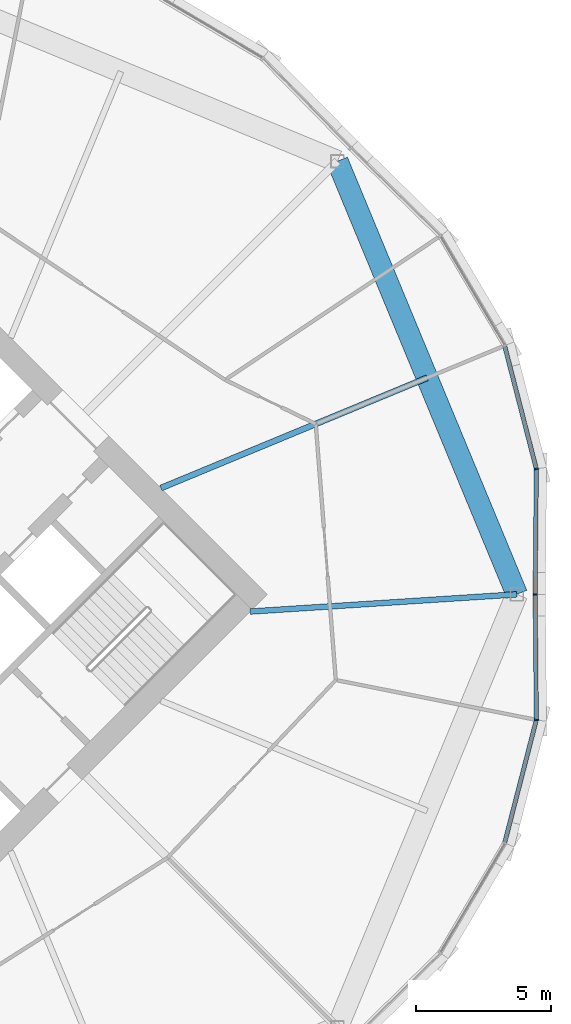
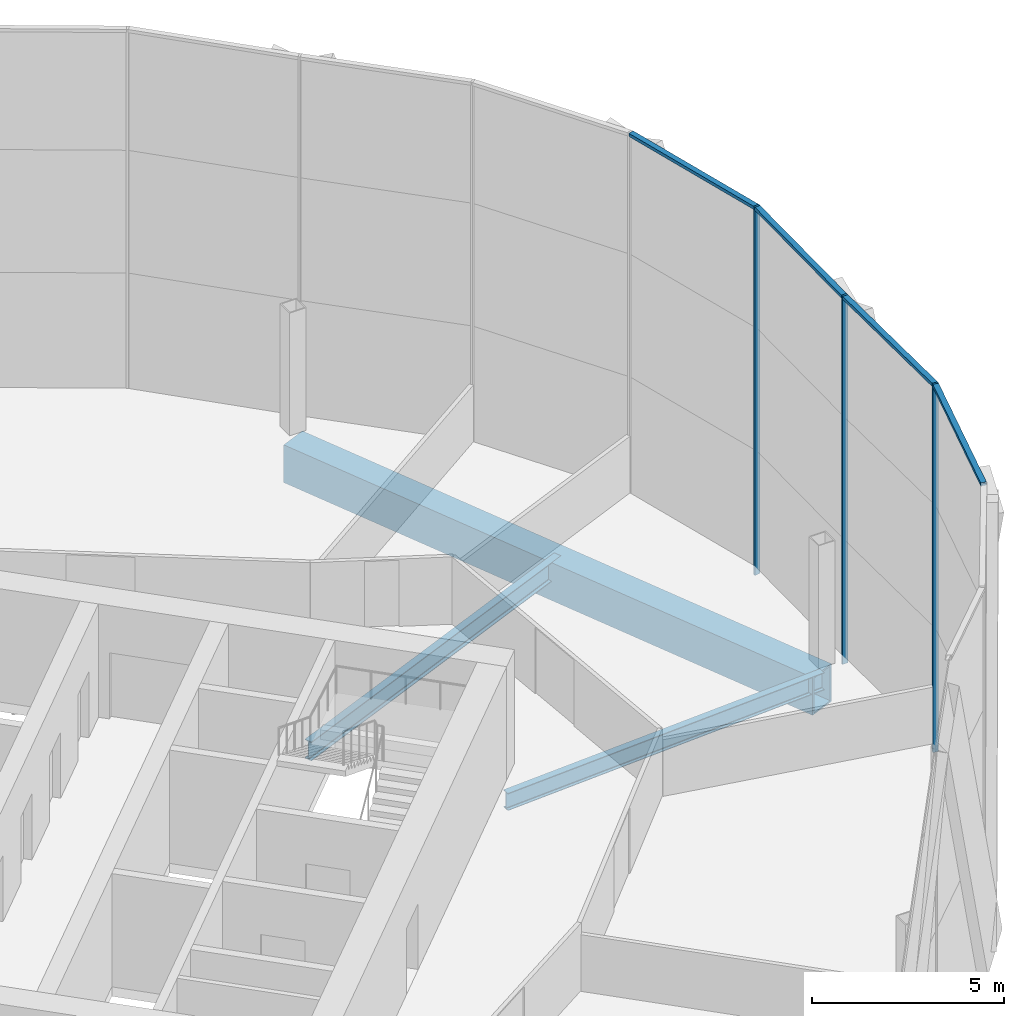
# One storey, part 13 of 26: 7 members, 3 beams, 2 elements without a shape of their own.
"""IFC4 building model written with IfcOpenShell, lengths in metres."""

from ifc_helpers import new_model, si_unit, direction, frame, origin, origin_2d, place, context, subcontext, project, spatial, rectangle, hollow_rectangle, i_section, extrude, material, material_profile, profile_set, type_object, element, aggregate, save


model = new_model("IFC4")

# Units and contexts
model_context = context("Model", 3, precision=1e-05, world=origin(), true_north=direction((0.0, 1.0)))
body_context = subcontext(model_context, "Body", "Model", "MODEL_VIEW")
ifc_project = project(units=[si_unit("LENGTHUNIT", "METRE"), si_unit("AREAUNIT", "SQUARE_METRE"), si_unit("VOLUMEUNIT", "CUBIC_METRE"), si_unit("PLANEANGLEUNIT", "RADIAN"), si_unit("MASSUNIT", "GRAM", prefix="KILO")], contexts=[model_context])

# Site, building, storey
site_placement = place(None, origin())
site = spatial("IfcSite", under=ifc_project, at=site_placement, CompositionType="ELEMENT")
building_placement = place(site_placement, origin())
building = spatial("IfcBuilding", under=site, at=building_placement, Name="Ogive Gate Towers", CompositionType="ELEMENT")
storey_placement = place(building_placement, frame((0.0, 0.0, 87.89990234375)))
storey = spatial("IfcBuildingStorey", under=building, at=storey_placement, Name="L20", CompositionType="ELEMENT", Elevation=87.89990234375)

# Beams
ifc_material_1 = material(Name="Steel SM460", Category="steel")
ifc_material_profile_1 = material_profile(ifc_material_1, hollow_rectangle(XDim=0.800048828125, YDim=1.199951171875, WallThickness=0.050048828125, at=origin_2d()), Name="BX 1200x800x50")
ifc_profile_set_1 = profile_set([ifc_material_profile_1], Name="Steel SM460")
beam_type_1 = type_object("IfcBeamType", Name="Edge girder BX 1200x800x50", PredefinedType="BEAM", material=ifc_profile_set_1)
beam_1_placement = place(storey_placement, frame((58.669921875, 0.0, -0.89990234375), z_axis=(-0.382685254414, 0.923878777792, 0.0), x_axis=(-0.923878777792, -0.382685254414, 0.0)))
element("IfcBeam", 1, at=beam_1_placement, inside=storey, type_object=beam_type_1, Name="T2/L20/SBM020", PredefinedType="BEAM", context=body_context, shape_type="SweptSolid", body=[
    extrude(hollow_rectangle(XDim=0.800048828125, YDim=1.199951171875, WallThickness=0.050048828125, at=origin_2d()), origin(), (0.0, 0.0, 1.0), 17.350830078125),
])
ifc_material_2 = material(Name="Steel SM355", Category="steel")
ifc_material_profile_2 = material_profile(ifc_material_2, i_section(OverallWidth=0.2099609375, OverallDepth=0.550048828125, WebThickness=0.010986328125, FlangeThickness=0.01708984375, FilletRadius=0.02392578125, at=origin_2d()), Name="IPE 550")
ifc_profile_set_2 = profile_set([ifc_material_profile_2], Name="Steel SM355")
beam_type_2 = type_object("IfcBeamType", Name="Radial floor beam IPE 550", PredefinedType="BEAM", material=ifc_profile_set_2)
beam_2_placement = place(storey_placement, frame((48.798583984375, -0.636474609375, -0.574951171875), z_axis=(0.997927814679, 0.064343427717, 0.0), x_axis=(-0.064343427717, 0.997927814679, 0.0)))
element("IfcBeam", 2, at=beam_2_placement, inside=storey, type_object=beam_type_2, Name="T2/L20/SBM007", PredefinedType="BEAM", context=body_context, shape_type="SweptSolid", body=[
    extrude(i_section(OverallWidth=0.2099609375, OverallDepth=0.550048828125, WebThickness=0.010986328125, FlangeThickness=0.01708984375, FilletRadius=0.02392578125, at=origin_2d()), origin(), (0.0, 0.0, 1.0), 9.891845703125),
])
ifc_material_profile_3 = material_profile(ifc_material_2, i_section(OverallWidth=0.219970703125, OverallDepth=0.60009765625, WebThickness=0.011962890625, FlangeThickness=0.01904296875, FilletRadius=0.02392578125, at=origin_2d()), Name="IPE 600")
ifc_profile_set_3 = profile_set([ifc_material_profile_3], Name="Steel SM355")
beam_type_3 = type_object("IfcBeamType", Name="Radial floor beam IPE 600", PredefinedType="BEAM", material=ifc_profile_set_3)
beam_3_placement = place(storey_placement, frame((45.5, 3.93505859375, -0.599853515625), z_axis=(0.923878402208, 0.382686161148, 0.0), x_axis=(-0.382686161148, 0.923878402208, 0.0)))
element("IfcBeam", 3, at=beam_3_placement, inside=storey, type_object=beam_type_3, Name="T2/L20/SBM008", PredefinedType="BEAM", context=body_context, shape_type="SweptSolid", body=[
    extrude(i_section(OverallWidth=0.219970703125, OverallDepth=0.60009765625, WebThickness=0.011962890625, FlangeThickness=0.01904296875, FilletRadius=0.02392578125, at=origin_2d()), origin(), (0.0, 0.0, 1.0), 10.66162109375),
])

# Curtain wall, members
ifc_material_3 = material(Name="Pale metal aluminium", Category="aluminium")
curtain_wall_type = type_object("IfcCurtainWallType", Name="Tower unitised wall, low zone", PredefinedType="NOTDEFINED", material=ifc_material_3)
curtain_wall_1_placement = place(storey_placement, origin())
curtain_wall_1 = element("IfcCurtainWall", 4, at=curtain_wall_1_placement, inside=storey, type_object=curtain_wall_type, Name="CW1 T2 ECW01", PredefinedType="NOTDEFINED")
ifc_material_profile_4 = material_profile(ifc_material_3, rectangle(XDim=0.159912109375, YDim=0.06005859375, at=origin_2d()), Name="60 x 160 aluminium box")
ifc_profile_set_4 = profile_set([ifc_material_profile_4], Name="Pale metal aluminium")
member_type_1 = type_object("IfcMemberType", Name="Tower unitised wall, low zone mullion 60 x 160", PredefinedType="MULLION", material=ifc_profile_set_4)
member_1_placement = place(storey_placement, frame((59.35009765625, 0.000244140625, -0.2998046875), z_axis=(0.0, 0.0, 1.0), x_axis=(0.999956405756, -0.009337375811, 0.0)))
member_1 = element("IfcMember", 5, at=member_1_placement, type_object=member_type_1, Name="CW1 mullion", PredefinedType="MULLION", context=body_context, shape_type="SweptSolid", body=[
    extrude(rectangle(XDim=0.159912109375, YDim=0.06005859375, at=origin_2d()), origin(), (0.0, 0.0, 1.0), 11.699951171875),
])
member_2_placement = place(storey_placement, frame((59.3935546875, 4.647216796875, -0.2998046875), z_axis=(0.0, 0.0, 1.0), x_axis=(0.992647900348, 0.121037787217, 0.0)))
member_2 = element("IfcMember", 6, at=member_2_placement, type_object=member_type_1, Name="CW1 mullion", PredefinedType="MULLION", context=body_context, shape_type="SweptSolid", body=[
    extrude(rectangle(XDim=0.159912109375, YDim=0.06005859375, at=origin_2d()), origin(), (0.0, 0.0, 1.0), 11.699951171875),
])

# Curtain wall, member
curtain_wall_2_placement = place(storey_placement, origin())
curtain_wall_2 = element("IfcCurtainWall", 7, at=curtain_wall_2_placement, inside=storey, type_object=curtain_wall_type, Name="CW1 T2 ECW08", PredefinedType="NOTDEFINED")
member_3_placement = place(storey_placement, frame((59.3935546875, -4.647216796875, -0.2998046875), z_axis=(0.0, 0.0, 1.0), x_axis=(0.992647900348, -0.121037787217, 0.0)))
member_3 = element("IfcMember", 8, at=member_3_placement, type_object=member_type_1, Name="CW1 mullion", PredefinedType="MULLION", context=body_context, shape_type="SweptSolid", body=[
    extrude(rectangle(XDim=0.159912109375, YDim=0.06005859375, at=origin_2d()), origin(), (0.0, 0.0, 1.0), 11.699951171875),
])

# Member
ifc_material_profile_5 = material_profile(ifc_material_3, rectangle(XDim=0.159912109375, YDim=0.10009765625, at=origin_2d()), Name="100 x 160 aluminium box")
ifc_profile_set_5 = profile_set([ifc_material_profile_5], Name="Pale metal aluminium")
member_type_2 = type_object("IfcMemberType", Name="Tower unitised wall, low zone transom 100 x 160", PredefinedType="USERDEFINED", material=ifc_profile_set_5)
member_4_placement = place(storey_placement, frame((59.350341796875, 0.0302734375, 11.35009765625), z_axis=(0.009309097625, 0.999956669412, 0.0), x_axis=(-0.999956669412, 0.009309097625, 0.0)))
member_4 = element("IfcMember", 9, at=member_4_placement, type_object=member_type_2, Name="CW1 transom", ObjectType="TRANSOM", PredefinedType="USERDEFINED", context=body_context, shape_type="SweptSolid", body=[
    extrude(rectangle(XDim=0.159912109375, YDim=0.10009765625, at=origin_2d()), origin(), (0.0, 0.0, 1.0), 4.589599609375),
])

member_5_placement = place(storey_placement, frame((59.38671875, 4.673583984375, 11.35009765625), z_axis=(-0.249396942248, 0.968401345103, 0.0), x_axis=(-0.968401345103, -0.249396942248, 0.0)))
member_5 = element("IfcMember", 10, at=member_5_placement, type_object=member_type_2, Name="CW1 transom", ObjectType="TRANSOM", PredefinedType="USERDEFINED", context=body_context, shape_type="SweptSolid", body=[
    extrude(rectangle(XDim=0.159912109375, YDim=0.10009765625, at=origin_2d()), origin(), (0.0, 0.0, 1.0), 4.65087890625),
])

aggregate(curtain_wall_1, [member_1, member_2, member_4, member_5])

member_6_placement = place(storey_placement, frame((58.226806640625, -9.177490234375, 11.35009765625), z_axis=(0.249396942248, 0.968401345103, 0.0), x_axis=(-0.968401345103, 0.249396942248, 0.0)))
member_6 = element("IfcMember", 11, at=member_6_placement, type_object=member_type_2, Name="CW1 transom", ObjectType="TRANSOM", PredefinedType="USERDEFINED", context=body_context, shape_type="SweptSolid", body=[
    extrude(rectangle(XDim=0.159912109375, YDim=0.10009765625, at=origin_2d()), origin(), (0.0, 0.0, 1.0), 4.65087890625),
])

member_7_placement = place(storey_placement, frame((59.39306640625, -4.61962890625, 11.35009765625), z_axis=(-0.009309097625, 0.999956669412, 0.0), x_axis=(-0.999956669412, -0.009309097625, 0.0)))
member_7 = element("IfcMember", 12, at=member_7_placement, type_object=member_type_2, Name="CW1 transom", ObjectType="TRANSOM", PredefinedType="USERDEFINED", context=body_context, shape_type="SweptSolid", body=[
    extrude(rectangle(XDim=0.159912109375, YDim=0.10009765625, at=origin_2d()), origin(), (0.0, 0.0, 1.0), 4.589599609375),
])

aggregate(curtain_wall_2, [member_3, member_6, member_7])

save(model, "model.ifc")
